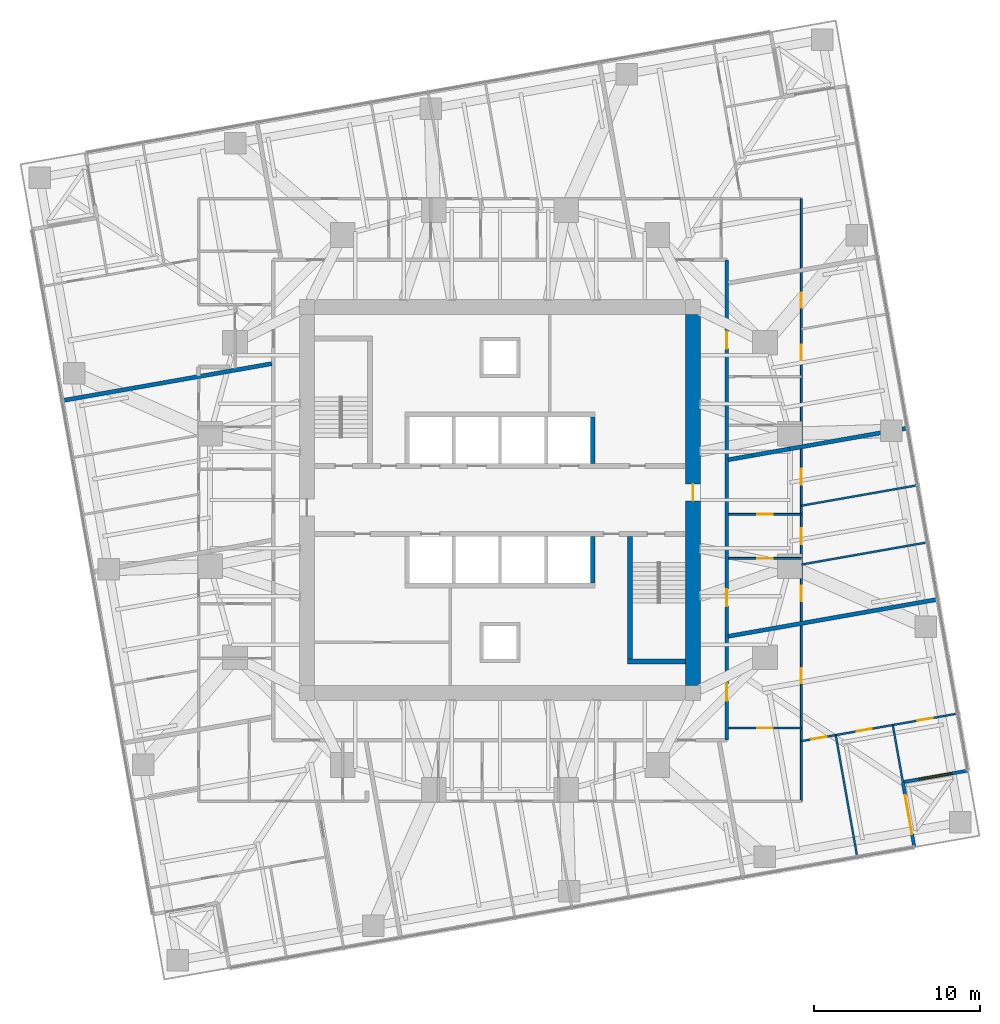
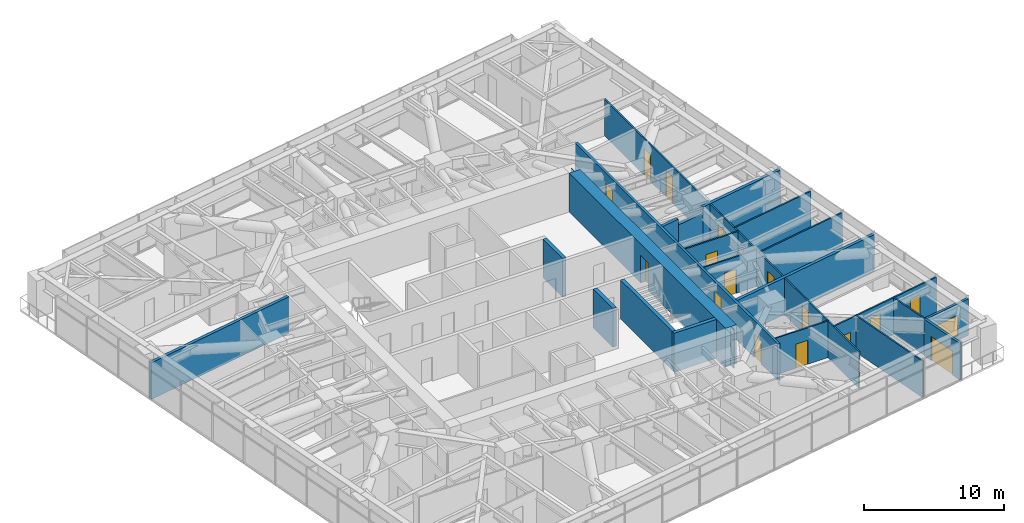
# One storey, part 13 of 17: 22 walls, 17 doors, 1 window, 18 openings.
"""IFC4 building model written with IfcOpenShell, lengths in metres."""

from ifc_helpers import new_model, si_unit, direction, frame, frame_2d, origin, place, context, subcontext, project, spatial, polyline, rectangle, outline, extrude, material, layer, layer_set, type_object, element, fill, save


model = new_model("IFC4")

# Units and contexts
model_context = context("Model", 3, precision=1e-05, world=origin(), true_north=direction((0.0, 1.0)))
body_context = subcontext(model_context, "Body", "Model", "MODEL_VIEW")
ifc_project = project(units=[si_unit("LENGTHUNIT", "METRE"), si_unit("AREAUNIT", "SQUARE_METRE"), si_unit("VOLUMEUNIT", "CUBIC_METRE"), si_unit("PLANEANGLEUNIT", "RADIAN"), si_unit("MASSUNIT", "GRAM", prefix="KILO")], contexts=[model_context])

# Site, building, storey
site_placement = place(None, origin())
site = spatial("IfcSite", under=ifc_project, at=site_placement, CompositionType="ELEMENT")
building_placement = place(site_placement, origin())
building = spatial("IfcBuilding", under=site, at=building_placement, Name="Torsade Residences", CompositionType="ELEMENT")
storey_placement = place(building_placement, frame((0.0, 0.0, 103.199951171875)))
storey = spatial("IfcBuildingStorey", under=building, at=storey_placement, Name="L28", CompositionType="ELEMENT", Elevation=103.199951171875)

# Walls
ifc_material_1 = material(Name="Concrete 80 MPa", Category="concrete")
ifc_layer_1 = layer(ifc_material_1, 0.300048828125)
ifc_layer_set_1 = layer_set([ifc_layer_1], Name="Concrete 80 MPa")
wall_type_1 = type_object("IfcWallType", Name="CORE INTERNAL WALL 300", PredefinedType="SHEAR", material=ifc_layer_set_1)
for number, where, z_axis, x_axis, name in (
    (1, (45.60009765625, 27.800048828125, 0.0), (0.0, 0.0, 1.0), (0.0, -1.0, 0.0), "Core wall DS0 L28"),
    (2, (45.60009765625, 32.199951171875, 0.0), (0.0, 0.0, 1.0), (0.0, 1.0, 0.0), "Core wall DN4 L28"),
):
    element("IfcWall", number, at=place(storey_placement, frame(where, z_axis=z_axis, x_axis=x_axis)), inside=storey, type_object=wall_type_1, Name=name, PredefinedType="SHEAR", context=body_context, shape_type="SweptSolid", body=[
        extrude(rectangle(XDim=2.800048828125, YDim=0.300048828125, at=frame_2d((1.39990234375, 0.0))), origin(), (0.0, 0.0, 1.0), 3.400146484375),
    ])
wall_1_placement = place(storey_placement, frame((47.85009765625, 27.800048828125, 0.0), z_axis=(0.0, 0.0, 1.0), x_axis=(0.0, -1.0, 0.0)))
element("IfcWall", 3, at=wall_1_placement, inside=storey, type_object=wall_type_1, Name="Core wall ST2W L28", PredefinedType="SHEAR", context=body_context, shape_type="SweptSolid", body=[
    extrude(rectangle(XDim=7.699951171875, YDim=0.300048828125, at=frame_2d((3.85009765625, 0.0))), origin(), (0.0, 0.0, 1.0), 3.400146484375),
])
wall_2_placement = place(storey_placement, frame((51.199951171875, 20.25, 0.0), z_axis=(0.0, 0.0, 1.0), x_axis=(-1.0, 0.0, 0.0)))
element("IfcWall", 4, at=wall_2_placement, inside=storey, type_object=wall_type_1, Name="Core wall ST2S L28", PredefinedType="SHEAR", context=body_context, shape_type="SweptSolid", body=[
    extrude(rectangle(XDim=3.5, YDim=0.300048828125, at=frame_2d((1.75, 0.0))), origin(), (0.0, 0.0, 1.0), 3.400146484375),
])

# Wall, opening, door
ifc_material_2 = material(Name="Concrete 80 MPa", Category="concrete")
ifc_layer_2 = layer(ifc_material_2, 0.89990234375)
ifc_layer_set_2 = layer_set([ifc_layer_2], Name="Concrete 80 MPa")
wall_type_2 = type_object("IfcWallType", Name="CORE WALL 900", PredefinedType="SHEAR", material=ifc_layer_set_2)
wall_3_placement = place(storey_placement, frame((51.64990234375, 18.800048828125, 0.0), z_axis=(0.0, 0.0, 1.0), x_axis=(0.0, 1.0, 0.0)))
wall_3 = element("IfcWall", 5, at=wall_3_placement, inside=storey, type_object=wall_type_2, Name="Core wall E L28", PredefinedType="SHEAR", context=body_context, shape_type="SweptSolid", body=[
    extrude(outline(polyline([(0.0, -0.449951171875), (22.39990234375, -0.449951171875), (22.39990234375, -0.02490234375), (22.849853515625, -0.02490234375), (22.849853515625, 0.02490234375), (22.39990234375, 0.02490234375), (22.39990234375, 0.449951171875), (0.0, 0.449951171875), (0.0, 0.02490234375), (-0.449951171875, 0.02490234375), (-0.449951171875, -0.02490234375), (0.0, -0.02490234375), (0.0, -0.449951171875)])), origin(), (0.0, 0.0, 1.0), 3.400146484375),
])
opening_1_placement = place(wall_3_placement, frame((11.139892578125, 0.0, 0.0)))
opening_1 = element("IfcOpeningElement", 6, at=opening_1_placement, cuts=wall_3, Name="Opening D04", PredefinedType="OPENING", context=body_context, shape_type="SweptSolid", body=[
    extrude(rectangle(XDim=1.02001953125, YDim=2.39990234375, at=frame_2d((0.510009765625, 1.199951171875))), frame((0.0, 0.4599609375, 0.0), z_axis=(0.0, -1.0, 0.0), x_axis=(1.0, 0.0, 0.0)), (0.0, 0.0, 1.0), 0.919921875),
])
ifc_material_3 = material(Name="Steel-framed fire door", Category="steel")
door_type_1 = type_object("IfcDoorType", Name="LOBBY SMOKE DOOR 1020x2400", OperationType="NOTDEFINED", PredefinedType="DOOR", material=ifc_material_3)
door_1_placement = place(opening_1_placement, origin())
door_1 = element("IfcDoor", 7, at=door_1_placement, inside=storey, type_object=door_type_1, Name="Lift lobby door E L28", OperationType="SINGLE_SWING_LEFT", OverallHeight=2.39990234375, OverallWidth=1.02001953125, PredefinedType="DOOR", context=body_context, shape_type="SweptSolid", body=[
    extrude(rectangle(XDim=1.02001953125, YDim=2.39990234375, at=frame_2d((0.510009765625, 1.199951171875))), frame((0.0, 0.02490234375, 0.0), z_axis=(0.0, -1.0, 0.0), x_axis=(1.0, 0.0, 0.0)), (0.0, 0.0, 1.0), 0.050048828125),
])
fill(opening_1, door_1)

# Wall, openings, doors
ifc_material_4 = material(Name="Plasterboard on steel stud", Category="steel")
ifc_layer_3 = layer(ifc_material_4, 0.199951171875)
ifc_layer_set_3 = layer_set([ifc_layer_3], Name="Plasterboard on steel stud")
wall_type_3 = type_object("IfcWallType", Name="CORRIDOR WALL 200", PredefinedType="PARTITIONING", material=ifc_layer_set_3)
wall_4_placement = place(storey_placement, frame((53.699951171875, 15.5, 0.0), z_axis=(0.0, 0.0, 1.0), x_axis=(0.0, 1.0, 0.0)))
wall_4 = element("IfcWall", 8, at=wall_4_placement, inside=storey, type_object=wall_type_3, Name="Corridor wall L28", PredefinedType="PARTITIONING", context=body_context, shape_type="SweptSolid", body=[
    extrude(rectangle(XDim=29.0, YDim=0.199951171875, at=frame_2d((14.5, 0.0))), origin(), (0.0, 0.0, 1.0), 3.199951171875),
])
opening_2_placement = place(wall_4_placement, frame((23.648193359375, 0.0, 0.0)))
opening_2 = element("IfcOpeningElement", 9, at=opening_2_placement, cuts=wall_4, Name="Opening D01", PredefinedType="OPENING", context=body_context, shape_type="SweptSolid", body=[
    extrude(rectangle(XDim=1.02001953125, YDim=2.340087890625, at=frame_2d((0.510009765625, 1.169921875))), frame((0.0, 0.10986328125, 0.0), z_axis=(0.0, -1.0, 0.0), x_axis=(1.0, 0.0, 0.0)), (0.0, 0.0, 1.0), 0.219970703125),
])
opening_3_placement = place(wall_4_placement, frame((2.3759765625, 0.0, 0.0)))
opening_3 = element("IfcOpeningElement", 10, at=opening_3_placement, cuts=wall_4, Name="Opening D01N", PredefinedType="OPENING", context=body_context, shape_type="SweptSolid", body=[
    extrude(rectangle(XDim=1.02001953125, YDim=2.0, at=frame_2d((0.510009765625, 1.0))), frame((0.0, 0.10986328125, 0.0), z_axis=(0.0, -1.0, 0.0), x_axis=(1.0, 0.0, 0.0)), (0.0, 0.0, 1.0), 0.219970703125),
])
opening_4_placement = place(wall_4_placement, frame((8.092041015625, 0.0, 0.0)))
opening_4 = element("IfcOpeningElement", 11, at=opening_4_placement, cuts=wall_4, Name="Opening D01", PredefinedType="OPENING", context=body_context, shape_type="SweptSolid", body=[
    extrude(rectangle(XDim=1.02001953125, YDim=2.340087890625, at=frame_2d((0.510009765625, 1.169921875))), frame((0.0, 0.10986328125, 0.0), z_axis=(0.0, -1.0, 0.0), x_axis=(1.0, 0.0, 0.0)), (0.0, 0.0, 1.0), 0.219970703125),
])
ifc_material_5 = material(Name="Solid-core timber fire door", Category="wood")
door_type_2 = type_object("IfcDoorType", Name="APARTMENT ENTRY DOOR 1020x2000", OperationType="NOTDEFINED", PredefinedType="DOOR", material=ifc_material_5)
door_2_placement = place(opening_3_placement, origin())
door_2 = element("IfcDoor", 12, at=door_2_placement, inside=storey, type_object=door_type_2, Name="Door Residential corridor to Kitchen and dining", OperationType="SINGLE_SWING_LEFT", OverallHeight=2.0, OverallWidth=1.02001953125, PredefinedType="DOOR", context=body_context, shape_type="SweptSolid", body=[
    extrude(rectangle(XDim=1.02001953125, YDim=2.0, at=frame_2d((0.510009765625, 1.0))), frame((0.0, 0.02490234375, 0.0), z_axis=(0.0, -1.0, 0.0), x_axis=(1.0, 0.0, 0.0)), (0.0, 0.0, 1.0), 0.050048828125),
])
fill(opening_3, door_2)
ifc_material_6 = material(Name="Solid-core timber fire door", Category="wood")
door_type_3 = type_object("IfcDoorType", Name="APARTMENT ENTRY DOOR 1020x2340", OperationType="NOTDEFINED", PredefinedType="DOOR", material=ifc_material_6)
door_3_placement = place(opening_2_placement, origin())
door_3 = element("IfcDoor", 13, at=door_3_placement, inside=storey, type_object=door_type_3, Name="Door Residential corridor to Kitchen and dining", OperationType="SINGLE_SWING_LEFT", OverallHeight=2.340087890625, OverallWidth=1.02001953125, PredefinedType="DOOR", context=body_context, shape_type="SweptSolid", body=[
    extrude(rectangle(XDim=1.02001953125, YDim=2.340087890625, at=frame_2d((0.510009765625, 1.169921875))), frame((0.0, 0.02490234375, 0.0), z_axis=(0.0, -1.0, 0.0), x_axis=(1.0, 0.0, 0.0)), (0.0, 0.0, 1.0), 0.050048828125),
])
fill(opening_2, door_3)
door_4_placement = place(opening_4_placement, origin())
door_4 = element("IfcDoor", 14, at=door_4_placement, inside=storey, type_object=door_type_3, Name="Door Residential corridor to Kitchen and dining", OperationType="SINGLE_SWING_RIGHT", OverallHeight=2.340087890625, OverallWidth=1.02001953125, PredefinedType="DOOR", context=body_context, shape_type="SweptSolid", body=[
    extrude(rectangle(XDim=1.02001953125, YDim=2.340087890625, at=frame_2d((0.510009765625, 1.169921875))), frame((0.0, 0.02490234375, 0.0), z_axis=(0.0, -1.0, 0.0), x_axis=(1.0, 0.0, 0.0)), (0.0, 0.0, 1.0), 0.050048828125),
])
fill(opening_4, door_4)

# Wall, opening, door
ifc_material_7 = material(Name="Plasterboard on steel stud", Category="steel")
ifc_layer_4 = layer(ifc_material_7, 0.1201171875)
ifc_layer_set_4 = layer_set([ifc_layer_4], Name="Plasterboard on steel stud")
wall_type_4 = type_object("IfcWallType", Name="PARTITION 120", PredefinedType="PARTITIONING", material=ifc_layer_set_4)
wall_5_placement = place(storey_placement, frame((58.199951171875, 16.23193359375, 0.0), z_axis=(0.0, 0.0, 1.0), x_axis=(-1.0, 0.0, 0.0)))
wall_5 = element("IfcWall", 15, at=wall_5_placement, inside=storey, type_object=wall_type_4, Name="Partition L28", PredefinedType="PARTITIONING", context=body_context, shape_type="SweptSolid", body=[
    extrude(rectangle(XDim=4.39990234375, YDim=0.1201171875, at=frame_2d((2.199951171875, 0.0))), origin(), (0.0, 0.0, 1.0), 3.199951171875),
])
opening_5_placement = place(wall_5_placement, frame((1.719970703125, 0.0, 0.0)))
opening_5 = element("IfcOpeningElement", 16, at=opening_5_placement, cuts=wall_5, Name="Opening D05", PredefinedType="OPENING", context=body_context, shape_type="SweptSolid", body=[
    extrude(rectangle(XDim=0.9599609375, YDim=2.10009765625, at=frame_2d((0.47998046875, 1.050048828125))), frame((0.0, 0.070068359375, 0.0), z_axis=(0.0, -1.0, 0.0), x_axis=(1.0, 0.0, 0.0)), (0.0, 0.0, 1.0), 0.14013671875),
])
ifc_material_8 = material(Name="Hollow-core timber door in a steel cavity frame", Category="steel")
door_type_4 = type_object("IfcDoorType", Name="BATHROOM CAVITY SLIDING DOOR 960", OperationType="SLIDING_TO_LEFT", PredefinedType="DOOR", material=ifc_material_8)
door_5_placement = place(opening_5_placement, origin())
door_5 = element("IfcDoor", 17, at=door_5_placement, inside=storey, type_object=door_type_4, Name="Door Kitchen and dining to Bathroom", OperationType="SLIDING_TO_LEFT", OverallHeight=2.10009765625, OverallWidth=0.9599609375, PredefinedType="DOOR", context=body_context, shape_type="SweptSolid", body=[
    extrude(rectangle(XDim=0.9599609375, YDim=2.10009765625, at=frame_2d((0.47998046875, 1.050048828125))), frame((0.0, 0.02490234375, 0.0), z_axis=(0.0, -1.0, 0.0), x_axis=(1.0, 0.0, 0.0)), (0.0, 0.0, 1.0), 0.050048828125),
])
fill(opening_5, door_5)

# Wall, openings, doors
wall_6_placement = place(storey_placement, frame((58.199951171875, 48.199951171875, 0.0), z_axis=(0.0, 0.0, 1.0), x_axis=(0.0, -1.0, 0.0)))
wall_6 = element("IfcWall", 18, at=wall_6_placement, inside=storey, type_object=wall_type_4, Name="Partition L28", PredefinedType="PARTITIONING", context=body_context, shape_type="SweptSolid", body=[
    extrude(rectangle(XDim=36.39990234375, YDim=0.1201171875, at=frame_2d((18.199951171875, 0.0))), origin(), (0.0, 0.0, 1.0), 3.199951171875),
])
opening_6_placement = place(wall_6_placement, frame((5.671142578125, 0.0, 0.0)))
opening_6 = element("IfcOpeningElement", 19, at=opening_6_placement, cuts=wall_6, Name="Opening D02", PredefinedType="OPENING", context=body_context, shape_type="SweptSolid", body=[
    extrude(rectangle(XDim=0.919921875, YDim=2.340087890625, at=frame_2d((0.4599609375, 1.169921875))), frame((0.0, 0.070068359375, 0.0), z_axis=(0.0, -1.0, 0.0), x_axis=(1.0, 0.0, 0.0)), (0.0, 0.0, 1.0), 0.14013671875),
])
opening_7_placement = place(wall_6_placement, frame((8.829833984375, 0.0, 0.0)))
opening_7 = element("IfcOpeningElement", 20, at=opening_7_placement, cuts=wall_6, Name="Opening D02", PredefinedType="OPENING", context=body_context, shape_type="SweptSolid", body=[
    extrude(rectangle(XDim=0.919921875, YDim=2.340087890625, at=frame_2d((0.4599609375, 1.169921875))), frame((0.0, 0.070068359375, 0.0), z_axis=(0.0, -1.0, 0.0), x_axis=(1.0, 0.0, 0.0)), (0.0, 0.0, 1.0), 0.14013671875),
])
opening_8_placement = place(wall_6_placement, frame((28.350341796875, 0.0, 0.0)))
opening_8 = element("IfcOpeningElement", 21, at=opening_8_placement, cuts=wall_6, Name="Opening D02", PredefinedType="OPENING", context=body_context, shape_type="SweptSolid", body=[
    extrude(rectangle(XDim=0.919921875, YDim=2.340087890625, at=frame_2d((0.4599609375, 1.169921875))), frame((0.0, 0.070068359375, 0.0), z_axis=(0.0, -1.0, 0.0), x_axis=(1.0, 0.0, 0.0)), (0.0, 0.0, 1.0), 0.14013671875),
])
opening_9_placement = place(wall_6_placement, frame((23.390380859375, 0.0, 0.0)))
opening_9 = element("IfcOpeningElement", 22, at=opening_9_placement, cuts=wall_6, Name="Opening D02", PredefinedType="OPENING", context=body_context, shape_type="SweptSolid", body=[
    extrude(rectangle(XDim=0.919921875, YDim=2.340087890625, at=frame_2d((0.4599609375, 1.169921875))), frame((0.0, 0.070068359375, 0.0), z_axis=(0.0, -1.0, 0.0), x_axis=(1.0, 0.0, 0.0)), (0.0, 0.0, 1.0), 0.14013671875),
])
opening_10_placement = place(wall_6_placement, frame((19.91845703125, 0.0, 0.0)))
opening_10 = element("IfcOpeningElement", 23, at=opening_10_placement, cuts=wall_6, Name="Opening D05", PredefinedType="OPENING", context=body_context, shape_type="SweptSolid", body=[
    extrude(rectangle(XDim=0.9599609375, YDim=2.10009765625, at=frame_2d((0.47998046875, 1.050048828125))), frame((0.0, 0.070068359375, 0.0), z_axis=(0.0, -1.0, 0.0), x_axis=(1.0, 0.0, 0.0)), (0.0, 0.0, 1.0), 0.14013671875),
])
opening_11_placement = place(wall_6_placement, frame((16.313232421875, 0.0, 0.0)))
opening_11 = element("IfcOpeningElement", 24, at=opening_11_placement, cuts=wall_6, Name="Opening D05", PredefinedType="OPENING", context=body_context, shape_type="SweptSolid", body=[
    extrude(rectangle(XDim=0.9599609375, YDim=2.10009765625, at=frame_2d((0.47998046875, 1.050048828125))), frame((0.0, 0.070068359375, 0.0), z_axis=(0.0, -1.0, 0.0), x_axis=(1.0, 0.0, 0.0)), (0.0, 0.0, 1.0), 0.14013671875),
])
door_6_placement = place(opening_10_placement, origin())
door_6 = element("IfcDoor", 25, at=door_6_placement, inside=storey, type_object=door_type_4, Name="Door Ensuite to Bedroom 1", OperationType="SLIDING_TO_LEFT", OverallHeight=2.10009765625, OverallWidth=0.9599609375, PredefinedType="DOOR", context=body_context, shape_type="SweptSolid", body=[
    extrude(rectangle(XDim=0.9599609375, YDim=2.10009765625, at=frame_2d((0.47998046875, 1.050048828125))), frame((0.0, 0.02490234375, 0.0), z_axis=(0.0, -1.0, 0.0), x_axis=(1.0, 0.0, 0.0)), (0.0, 0.0, 1.0), 0.050048828125),
])
fill(opening_10, door_6)
door_7_placement = place(opening_11_placement, origin())
door_7 = element("IfcDoor", 26, at=door_7_placement, inside=storey, type_object=door_type_4, Name="Door Bathroom to Bedroom 2", OperationType="SLIDING_TO_LEFT", OverallHeight=2.10009765625, OverallWidth=0.9599609375, PredefinedType="DOOR", context=body_context, shape_type="SweptSolid", body=[
    extrude(rectangle(XDim=0.9599609375, YDim=2.10009765625, at=frame_2d((0.47998046875, 1.050048828125))), frame((0.0, 0.02490234375, 0.0), z_axis=(0.0, -1.0, 0.0), x_axis=(1.0, 0.0, 0.0)), (0.0, 0.0, 1.0), 0.050048828125),
])
fill(opening_11, door_7)
ifc_material_9 = material(Name="Hollow-core timber door", Category="wood")
door_type_5 = type_object("IfcDoorType", Name="INTERNAL DOOR 920x2340", OperationType="NOTDEFINED", PredefinedType="DOOR", material=ifc_material_9)
door_8_placement = place(opening_6_placement, origin())
door_8 = element("IfcDoor", 27, at=door_8_placement, inside=storey, type_object=door_type_5, Name="Door Kitchen and dining to Bedroom 1", OperationType="SINGLE_SWING_LEFT", OverallHeight=2.340087890625, OverallWidth=0.919921875, PredefinedType="DOOR", context=body_context, shape_type="SweptSolid", body=[
    extrude(rectangle(XDim=0.919921875, YDim=2.340087890625, at=frame_2d((0.4599609375, 1.169921875))), frame((0.0, 0.02490234375, 0.0), z_axis=(0.0, -1.0, 0.0), x_axis=(1.0, 0.0, 0.0)), (0.0, 0.0, 1.0), 0.050048828125),
])
fill(opening_6, door_8)
door_9_placement = place(opening_7_placement, origin())
door_9 = element("IfcDoor", 28, at=door_9_placement, inside=storey, type_object=door_type_5, Name="Door Kitchen and dining to Living room", OperationType="SINGLE_SWING_LEFT", OverallHeight=2.340087890625, OverallWidth=0.919921875, PredefinedType="DOOR", context=body_context, shape_type="SweptSolid", body=[
    extrude(rectangle(XDim=0.919921875, YDim=2.340087890625, at=frame_2d((0.4599609375, 1.169921875))), frame((0.0, 0.02490234375, 0.0), z_axis=(0.0, -1.0, 0.0), x_axis=(1.0, 0.0, 0.0)), (0.0, 0.0, 1.0), 0.050048828125),
])
fill(opening_7, door_9)
door_10_placement = place(opening_8_placement, origin())
door_10 = element("IfcDoor", 29, at=door_10_placement, inside=storey, type_object=door_type_5, Name="Door Kitchen and dining to Living room", OperationType="SINGLE_SWING_LEFT", OverallHeight=2.340087890625, OverallWidth=0.919921875, PredefinedType="DOOR", context=body_context, shape_type="SweptSolid", body=[
    extrude(rectangle(XDim=0.919921875, YDim=2.340087890625, at=frame_2d((0.4599609375, 1.169921875))), frame((0.0, 0.02490234375, 0.0), z_axis=(0.0, -1.0, 0.0), x_axis=(1.0, 0.0, 0.0)), (0.0, 0.0, 1.0), 0.050048828125),
])
fill(opening_8, door_10)
door_11_placement = place(opening_9_placement, origin())
door_11 = element("IfcDoor", 30, at=door_11_placement, inside=storey, type_object=door_type_5, Name="Door Kitchen and dining to Living room", OperationType="SINGLE_SWING_RIGHT", OverallHeight=2.340087890625, OverallWidth=0.919921875, PredefinedType="DOOR", context=body_context, shape_type="SweptSolid", body=[
    extrude(rectangle(XDim=0.919921875, YDim=2.340087890625, at=frame_2d((0.4599609375, 1.169921875))), frame((0.0, 0.02490234375, 0.0), z_axis=(0.0, -1.0, 0.0), x_axis=(1.0, 0.0, 0.0)), (0.0, 0.0, 1.0), 0.050048828125),
])
fill(opening_9, door_11)

wall_7_placement = place(storey_placement, frame((67.61962890625, 17.10009765625, 0.0), z_axis=(0.0, 0.0, 1.0), x_axis=(-0.984808730291, -0.173642635155, 0.0)))
wall_7 = element("IfcWall", 31, at=wall_7_placement, inside=storey, type_object=wall_type_4, Name="Partition L28", PredefinedType="PARTITIONING", context=body_context, shape_type="SweptSolid", body=[
    extrude(rectangle(XDim=9.56494140625, YDim=0.1201171875, at=frame_2d((4.782470703125, 0.0))), origin(), (0.0, 0.0, 1.0), 3.199951171875),
])
opening_12_placement = place(wall_7_placement, frame((1.525146484375, 0.0, 0.0)))
opening_12 = element("IfcOpeningElement", 32, at=opening_12_placement, cuts=wall_7, Name="Opening D02", PredefinedType="OPENING", context=body_context, shape_type="SweptSolid", body=[
    extrude(rectangle(XDim=0.919921875, YDim=2.340087890625, at=frame_2d((0.4599609375, 1.169921875))), frame((0.0, 0.070068359375, 0.0), z_axis=(0.0, -1.0, 0.0), x_axis=(1.0, 0.0, 0.0)), (0.0, 0.0, 1.0), 0.14013671875),
])
opening_13_placement = place(wall_7_placement, frame((5.25, 0.0, 0.0)))
opening_13 = element("IfcOpeningElement", 33, at=opening_13_placement, cuts=wall_7, Name="Opening D02", PredefinedType="OPENING", context=body_context, shape_type="SweptSolid", body=[
    extrude(rectangle(XDim=0.919921875, YDim=2.340087890625, at=frame_2d((0.4599609375, 1.169921875))), frame((0.0, 0.070068359375, 0.0), z_axis=(0.0, -1.0, 0.0), x_axis=(1.0, 0.0, 0.0)), (0.0, 0.0, 1.0), 0.14013671875),
])
opening_14_placement = place(wall_7_placement, frame((8.027587890625, 0.0, 0.0)))
opening_14 = element("IfcOpeningElement", 34, at=opening_14_placement, cuts=wall_7, Name="Opening D02N", PredefinedType="OPENING", context=body_context, shape_type="SweptSolid", body=[
    extrude(rectangle(XDim=0.919921875, YDim=2.0, at=frame_2d((0.4599609375, 1.0))), frame((0.0, 0.070068359375, 0.0), z_axis=(0.0, -1.0, 0.0), x_axis=(1.0, 0.0, 0.0)), (0.0, 0.0, 1.0), 0.14013671875),
])
ifc_material_10 = material(Name="Hollow-core timber door", Category="wood")
door_type_6 = type_object("IfcDoorType", Name="INTERNAL DOOR 920x2000", OperationType="NOTDEFINED", PredefinedType="DOOR", material=ifc_material_10)
door_12_placement = place(opening_14_placement, origin())
door_12 = element("IfcDoor", 35, at=door_12_placement, inside=storey, type_object=door_type_6, Name="Door Living room to Bedroom 1", OperationType="SINGLE_SWING_LEFT", OverallHeight=2.0, OverallWidth=0.919921875, PredefinedType="DOOR", context=body_context, shape_type="SweptSolid", body=[
    extrude(rectangle(XDim=0.919921875, YDim=2.0, at=frame_2d((0.4599609375, 1.0))), frame((0.0, 0.02490234375, 0.0), z_axis=(0.0, -1.0, 0.0), x_axis=(1.0, 0.0, 0.0)), (0.0, 0.0, 1.0), 0.050048828125),
])
fill(opening_14, door_12)
door_13_placement = place(opening_12_placement, origin())
door_13 = element("IfcDoor", 36, at=door_13_placement, inside=storey, type_object=door_type_5, Name="Door Living room to Study", OperationType="SINGLE_SWING_RIGHT", OverallHeight=2.340087890625, OverallWidth=0.919921875, PredefinedType="DOOR", context=body_context, shape_type="SweptSolid", body=[
    extrude(rectangle(XDim=0.919921875, YDim=2.340087890625, at=frame_2d((0.4599609375, 1.169921875))), frame((0.0, 0.02490234375, 0.0), z_axis=(0.0, -1.0, 0.0), x_axis=(1.0, 0.0, 0.0)), (0.0, 0.0, 1.0), 0.050048828125),
])
fill(opening_12, door_13)
door_14_placement = place(opening_13_placement, origin())
door_14 = element("IfcDoor", 37, at=door_14_placement, inside=storey, type_object=door_type_5, Name="Door Living room to Bedroom 2", OperationType="SINGLE_SWING_LEFT", OverallHeight=2.340087890625, OverallWidth=0.919921875, PredefinedType="DOOR", context=body_context, shape_type="SweptSolid", body=[
    extrude(rectangle(XDim=0.919921875, YDim=2.340087890625, at=frame_2d((0.4599609375, 1.169921875))), frame((0.0, 0.02490234375, 0.0), z_axis=(0.0, -1.0, 0.0), x_axis=(1.0, 0.0, 0.0)), (0.0, 0.0, 1.0), 0.050048828125),
])
fill(opening_13, door_14)

# Walls
wall_8_placement = place(storey_placement, frame((60.27294921875, 15.8046875, 0.0), z_axis=(0.0, 0.0, 1.0), x_axis=(0.173647177755, -0.984807929323, 0.0)))
element("IfcWall", 38, at=wall_8_placement, inside=storey, type_object=wall_type_4, Name="Partition L28", PredefinedType="PARTITIONING", context=body_context, shape_type="SweptSolid", body=[
    extrude(rectangle(XDim=7.4599609375, YDim=0.1201171875, at=frame_2d((3.72998046875, 0.0))), origin(), (0.0, 0.0, 1.0), 3.199951171875),
])
wall_9_placement = place(storey_placement, frame((63.7197265625, 16.412353515625, 0.0), z_axis=(0.0, 0.0, 1.0), x_axis=(0.173660541335, -0.984805572884, 0.0)))
element("IfcWall", 39, at=wall_9_placement, inside=storey, type_object=wall_type_4, Name="Partition L28", PredefinedType="PARTITIONING", context=body_context, shape_type="SweptSolid", body=[
    extrude(rectangle(XDim=3.459716796875, YDim=0.1201171875, at=frame_2d((1.72998046875, 0.0))), origin(), (0.0, 0.0, 1.0), 3.199951171875),
])

# Wall, opening, door
wall_10_placement = place(storey_placement, frame((53.800048828125, 26.471923828125, 0.0), z_axis=(0.0, 0.0, 1.0), x_axis=(1.0, 0.0, 0.0)))
wall_10 = element("IfcWall", 40, at=wall_10_placement, inside=storey, type_object=wall_type_4, Name="Partition L28", PredefinedType="PARTITIONING", context=body_context, shape_type="SweptSolid", body=[
    extrude(rectangle(XDim=4.39990234375, YDim=0.1201171875, at=frame_2d((2.199951171875, 0.0))), origin(), (0.0, 0.0, 1.0), 3.199951171875),
])
opening_15_placement = place(wall_10_placement, frame((1.719970703125, 0.0, 0.0)))
opening_15 = element("IfcOpeningElement", 41, at=opening_15_placement, cuts=wall_10, Name="Opening D05", PredefinedType="OPENING", context=body_context, shape_type="SweptSolid", body=[
    extrude(rectangle(XDim=0.9599609375, YDim=2.10009765625, at=frame_2d((0.47998046875, 1.050048828125))), frame((0.0, 0.070068359375, 0.0), z_axis=(0.0, -1.0, 0.0), x_axis=(1.0, 0.0, 0.0)), (0.0, 0.0, 1.0), 0.14013671875),
])
door_15_placement = place(opening_15_placement, origin())
door_15 = element("IfcDoor", 42, at=door_15_placement, inside=storey, type_object=door_type_4, Name="Door Kitchen and dining to Ensuite", OperationType="SLIDING_TO_LEFT", OverallHeight=2.10009765625, OverallWidth=0.9599609375, PredefinedType="DOOR", context=body_context, shape_type="SweptSolid", body=[
    extrude(rectangle(XDim=0.9599609375, YDim=2.10009765625, at=frame_2d((0.47998046875, 1.050048828125))), frame((0.0, 0.02490234375, 0.0), z_axis=(0.0, -1.0, 0.0), x_axis=(1.0, 0.0, 0.0)), (0.0, 0.0, 1.0), 0.050048828125),
])
fill(opening_15, door_15)

wall_11_placement = place(storey_placement, frame((58.199951171875, 29.131103515625, 0.0), z_axis=(0.0, 0.0, 1.0), x_axis=(-1.0, 0.0, 0.0)))
wall_11 = element("IfcWall", 43, at=wall_11_placement, inside=storey, type_object=wall_type_4, Name="Partition L28", PredefinedType="PARTITIONING", context=body_context, shape_type="SweptSolid", body=[
    extrude(rectangle(XDim=4.39990234375, YDim=0.1201171875, at=frame_2d((2.199951171875, 0.0))), origin(), (0.0, 0.0, 1.0), 3.199951171875),
])
opening_16_placement = place(wall_11_placement, frame((1.719970703125, 0.0, 0.0)))
opening_16 = element("IfcOpeningElement", 44, at=opening_16_placement, cuts=wall_11, Name="Opening D05", PredefinedType="OPENING", context=body_context, shape_type="SweptSolid", body=[
    extrude(rectangle(XDim=0.9599609375, YDim=2.10009765625, at=frame_2d((0.47998046875, 1.050048828125))), frame((0.0, 0.070068359375, 0.0), z_axis=(0.0, -1.0, 0.0), x_axis=(1.0, 0.0, 0.0)), (0.0, 0.0, 1.0), 0.14013671875),
])
door_16_placement = place(opening_16_placement, origin())
door_16 = element("IfcDoor", 45, at=door_16_placement, inside=storey, type_object=door_type_4, Name="Door Ensuite to Bathroom", OperationType="SLIDING_TO_LEFT", OverallHeight=2.10009765625, OverallWidth=0.9599609375, PredefinedType="DOOR", context=body_context, shape_type="SweptSolid", body=[
    extrude(rectangle(XDim=0.9599609375, YDim=2.10009765625, at=frame_2d((0.47998046875, 1.050048828125))), frame((0.0, 0.02490234375, 0.0), z_axis=(0.0, -1.0, 0.0), x_axis=(1.0, 0.0, 0.0)), (0.0, 0.0, 1.0), 0.050048828125),
])
fill(opening_16, door_16)

# Walls
wall_12_placement = place(storey_placement, frame((58.199951171875, 26.10107421875, 0.0), z_axis=(0.0, 0.0, 1.0), x_axis=(0.984804581119, 0.173666165406, 0.0)))
element("IfcWall", 46, at=wall_12_placement, inside=storey, type_object=wall_type_4, Name="Partition L28", PredefinedType="PARTITIONING", context=body_context, shape_type="SweptSolid", body=[
    extrude(rectangle(XDim=7.713623046875, YDim=0.1201171875, at=frame_2d((3.85693359375, 0.0))), origin(), (0.0, 0.0, 1.0), 3.199951171875),
])
wall_13_placement = place(storey_placement, frame((58.199951171875, 29.6552734375, 0.0), z_axis=(0.0, 0.0, 1.0), x_axis=(0.984809869921, 0.17363617165, 0.0)))
element("IfcWall", 47, at=wall_13_placement, inside=storey, type_object=wall_type_4, Name="Partition L28", PredefinedType="PARTITIONING", context=body_context, shape_type="SweptSolid", body=[
    extrude(rectangle(XDim=7.096435546875, YDim=0.1201171875, at=frame_2d((3.54833984375, 0.0))), origin(), (0.0, 0.0, 1.0), 3.199951171875),
])
ifc_material_11 = material(Name="Masonry-lined stud party wall", Category="masonry")
ifc_layer_5 = layer(ifc_material_11, 0.25)
ifc_layer_set_5 = layer_set([ifc_layer_5], Name="Masonry-lined stud party wall")
wall_type_5 = type_object("IfcWallType", Name="PARTY WALL 250", PredefinedType="PARTITIONING", material=ifc_layer_set_5)
for number, where, z_axis, x_axis, name in (
    (48, (66.443603515625, 24.000732421875, 0.0), (0.0, 0.0, 1.0), (-0.984809355703, -0.173639088111, 0.0), "Party wall L28"),
    (49, (13.556396484375, 35.999267578125, 0.0), (0.0, 0.0, 1.0), (0.984809355703, 0.173639088111, 0.0), "Party wall L28"),
):
    element("IfcWall", number, at=place(storey_placement, frame(where, z_axis=z_axis, x_axis=x_axis)), inside=storey, type_object=wall_type_5, Name=name, PredefinedType="PARTITIONING", context=body_context, shape_type="SweptSolid", body=[
        extrude(rectangle(XDim=12.856689453125, YDim=0.25, at=frame_2d((6.42822265625, 0.0))), origin(), (0.0, 0.0, 1.0), 3.199951171875),
    ])
wall_14_placement = place(storey_placement, frame((64.6201171875, 34.34130859375, 0.0), z_axis=(0.0, 0.0, 1.0), x_axis=(-0.984806967559, -0.173652632134, 0.0)))
element("IfcWall", 50, at=wall_14_placement, inside=storey, type_object=wall_type_5, Name="Party wall L28", PredefinedType="PARTITIONING", context=body_context, shape_type="SweptSolid", body=[
    extrude(rectangle(XDim=7.241943359375, YDim=0.25, at=frame_2d((3.62109375, 0.0))), origin(), (0.0, 0.0, 1.0), 3.199951171875),
])
wall_15_placement = place(storey_placement, frame((57.48828125, 33.083740234375, 0.0), z_axis=(0.0, 0.0, 1.0), x_axis=(-0.98479532969, -0.173718619099, 0.0)))
element("IfcWall", 51, at=wall_15_placement, inside=storey, type_object=wall_type_5, Name="Party wall L28", PredefinedType="PARTITIONING", context=body_context, shape_type="SweptSolid", body=[
    extrude(rectangle(XDim=2.29638671875, YDim=0.25, at=frame_2d((1.148193359375, 0.0))), origin(), (0.0, 0.0, 1.0), 2.672119140625),
])
wall_16_placement = place(storey_placement, frame((55.226806640625, 32.684814453125, 0.0), z_axis=(0.0, 0.0, 1.0), x_axis=(-0.984817051632, -0.173595434317, 0.0)))
element("IfcWall", 52, at=wall_16_placement, inside=storey, type_object=wall_type_5, Name="Party wall L28", PredefinedType="PARTITIONING", context=body_context, shape_type="SweptSolid", body=[
    extrude(rectangle(XDim=1.466796875, YDim=0.25, at=frame_2d((0.7333984375, 0.0))), origin(), (0.0, 0.0, 1.0), 3.199951171875),
])

# Wall, opening, door
ifc_material_12 = material(Name="Stone-faced precast concrete 40 MPa panel", Category="masonry")
ifc_layer_6 = layer(ifc_material_12, 0.199951171875)
ifc_layer_set_6 = layer_set([ifc_layer_6], Name="Stone-faced precast concrete 40 MPa panel")
wall_type_6 = type_object("IfcWallType", Name="TERRACE WALL 200", PredefinedType="SOLIDWALL", material=ifc_layer_set_6)
wall_17_placement = place(storey_placement, frame((65.022216796875, 9.0263671875, 0.0), z_axis=(0.0, 0.0, 1.0), x_axis=(-0.173646056486, 0.984808127031, 0.0)))
wall_17 = element("IfcWall", 53, at=wall_17_placement, inside=storey, type_object=wall_type_6, Name="Terrace wall L28 2", PredefinedType="SOLIDWALL", context=body_context, shape_type="SweptSolid", body=[
    extrude(rectangle(XDim=4.0, YDim=0.199951171875, at=frame_2d((2.0, 0.0))), origin(), (0.0, 0.0, 1.0), 3.199951171875),
])
opening_17_placement = place(wall_17_placement, frame((0.800048828125, 0.0, 0.0)))
opening_17 = element("IfcOpeningElement", 54, at=opening_17_placement, cuts=wall_17, Name="Opening D10A", PredefinedType="OPENING", context=body_context, shape_type="SweptSolid", body=[
    extrude(rectangle(XDim=2.39990234375, YDim=2.10009765625, at=frame_2d((1.199951171875, 1.050048828125))), frame((0.0, 0.10986328125, 0.0), z_axis=(0.0, -1.0, 0.0), x_axis=(1.0, 0.0, 0.0)), (0.0, 0.0, 1.0), 0.219970703125),
])
ifc_material_13 = material(Name="Aluminium-framed glass door", Category="aluminium")
door_type_7 = type_object("IfcDoorType", Name="TERRACE SLIDING DOOR 2400x2100", OperationType="SLIDING_TO_LEFT", PredefinedType="DOOR", material=ifc_material_13)
door_17_placement = place(opening_17_placement, origin())
door_17 = element("IfcDoor", 55, at=door_17_placement, inside=storey, type_object=door_type_7, Name="Terrace door L28 2", OperationType="SLIDING_TO_LEFT", OverallHeight=2.10009765625, OverallWidth=2.39990234375, PredefinedType="DOOR", context=body_context, shape_type="SweptSolid", body=[
    extrude(rectangle(XDim=2.39990234375, YDim=2.10009765625, at=frame_2d((1.199951171875, 1.050048828125))), frame((0.0, 0.02490234375, 0.0), z_axis=(0.0, -1.0, 0.0), x_axis=(1.0, 0.0, 0.0)), (0.0, 0.0, 1.0), 0.050048828125),
])
fill(opening_17, door_17)

# Wall, opening, window
wall_18_placement = place(storey_placement, frame((64.32763671875, 12.965576171875, 0.0), z_axis=(0.0, 0.0, 1.0), x_axis=(0.984808127031, 0.173646056486, 0.0)))
wall_18 = element("IfcWall", 56, at=wall_18_placement, inside=storey, type_object=wall_type_6, Name="Terrace wall L28 3", PredefinedType="SOLIDWALL", context=body_context, shape_type="SweptSolid", body=[
    extrude(rectangle(XDim=4.0, YDim=0.199951171875, at=frame_2d((2.0, 0.0))), origin(), (0.0, 0.0, 1.0), 3.199951171875),
])
opening_18_placement = place(wall_18_placement, frame((1.0, 0.0, 0.39990234375)))
opening_18 = element("IfcOpeningElement", 57, at=opening_18_placement, cuts=wall_18, Name="Opening W1B", PredefinedType="OPENING", context=body_context, shape_type="SweptSolid", body=[
    extrude(rectangle(XDim=2.0, YDim=1.800048828125, at=frame_2d((1.0, 0.89990234375))), frame((0.0, 0.10986328125, 0.0), z_axis=(0.0, -1.0, 0.0), x_axis=(1.0, 0.0, 0.0)), (0.0, 0.0, 1.0), 0.219970703125),
])
ifc_material_14 = material(Name="Aluminium-framed glass window", Category="aluminium")
window_type = type_object("IfcWindowType", Name="TERRACE WINDOW 2000x1800", PartitioningType="SINGLE_PANEL", PredefinedType="WINDOW", material=ifc_material_14)
window_placement = place(opening_18_placement, origin())
window = element("IfcWindow", 58, at=window_placement, inside=storey, type_object=window_type, Name="Terrace window L28 3", OverallHeight=1.800048828125, OverallWidth=2.0, PartitioningType="SINGLE_PANEL", PredefinedType="WINDOW", context=body_context, shape_type="SweptSolid", body=[
    extrude(rectangle(XDim=2.0, YDim=1.800048828125, at=frame_2d((1.0, 0.89990234375))), frame((0.0, 0.030029296875, 0.0), z_axis=(0.0, -1.0, 0.0), x_axis=(1.0, 0.0, 0.0)), (0.0, 0.0, 1.0), 0.06005859375),
])
fill(opening_18, window)

save(model, "model.ifc")
